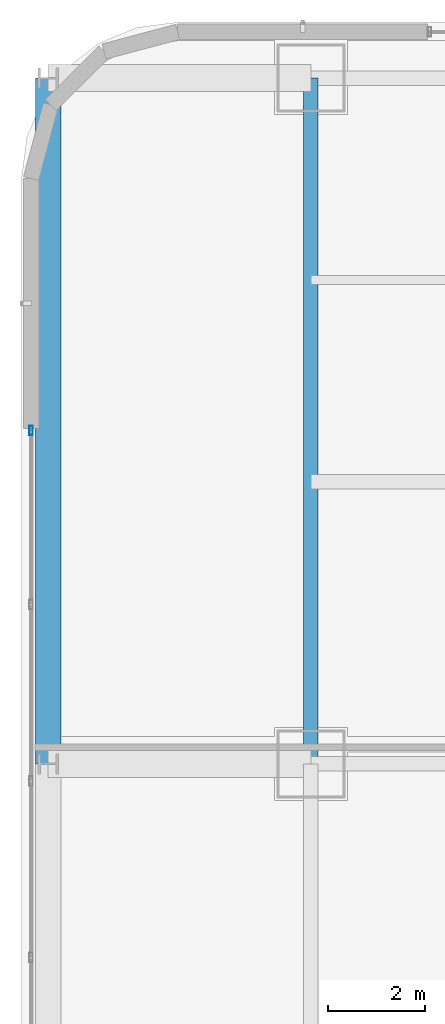
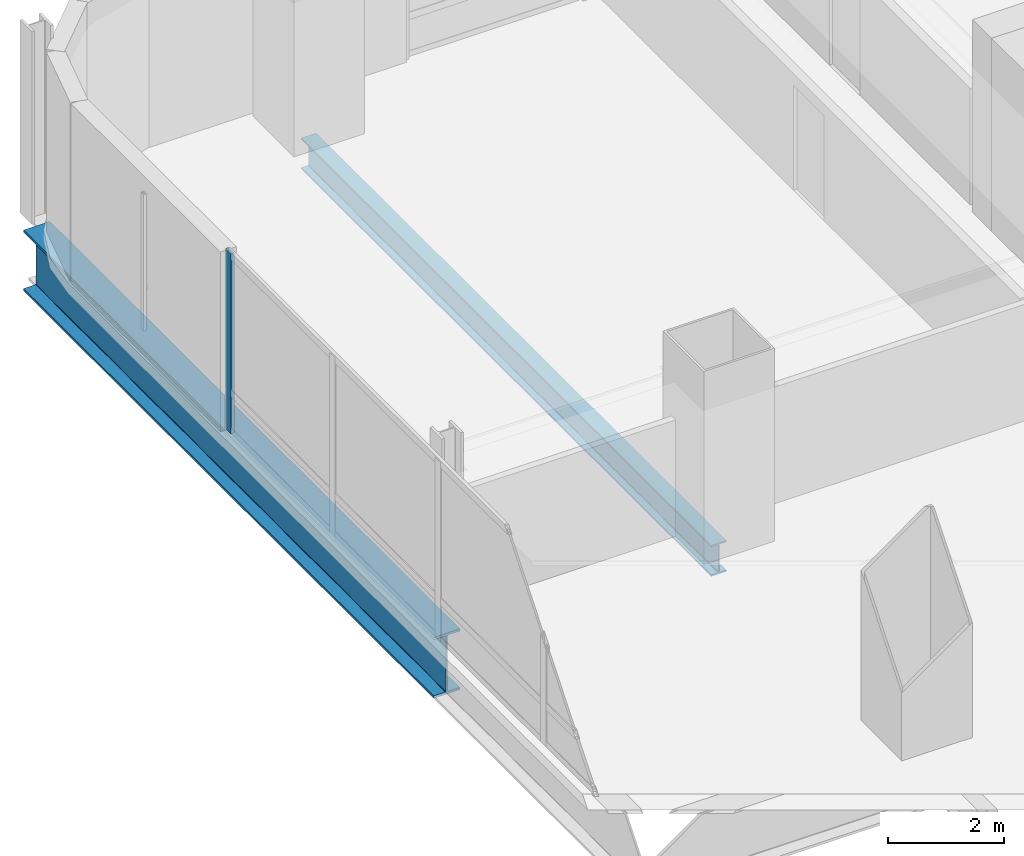
# One storey, part 20 of 46: 2 beams, 1 member, 1 element without a shape of its own.
"""IFC4 building model written with IfcOpenShell, lengths in metres."""

import ifcopenshell
import ifcopenshell.guid

model = None  # the IFC model being written
_history = None  # IfcOwnerHistory: only IFC2X3 demands one
_inside = {}  # id of a spatial element -> (the spatial element, [elements in it])
_under = {}  # id of a project, library or spatial element -> (it, [spatial elements below it])
_declared = {}  # id of a project -> (the project, [libraries it declares])
_typed = {}  # id of a type object -> (the type object, [elements of that type])
_made_of = {}  # id of a material, layer set ... -> (it, [elements and type objects made of it])


def new_model(schema):
    """Start an empty IFC model of exactly this schema.

    Asked for "IFC4X3", IfcOpenShell would pick the latest addendum, in which some entities
    have other attributes; the version numbers below select the first issue.
    IFC2X3 requires an IfcOwnerHistory on every rooted entity: one is made here for all.
    """
    global model, _history
    if schema == "IFC4X3":
        model = ifcopenshell.file(schema_version=(4, 3, 0, 0))
    else:
        model = ifcopenshell.file(schema=schema)
    _inside.clear()
    _under.clear()
    _declared.clear()
    _typed.clear()
    _made_of.clear()
    _history = None
    if model.schema == "IFC2X3":
        org = make("IfcOrganization", Name="unknown")
        user = make(
            "IfcPersonAndOrganization",
            ThePerson=make("IfcPerson", FamilyName="unknown"),
            TheOrganization=org,
        )
        app = make(
            "IfcApplication",
            ApplicationDeveloper=org,
            Version="unknown",
            ApplicationFullName="unknown",
            ApplicationIdentifier="unknown",
        )
        _history = make(
            "IfcOwnerHistory",
            OwningUser=user,
            OwningApplication=app,
            ChangeAction="ADDED",
            CreationDate=0,
        )
    return model


def make(cls, **values):
    """One entity of the class cls with the attributes given. An attribute that is None is left unset."""
    return model.create_entity(
        cls, **{name: value for name, value in values.items() if value is not None}
    )


def rooted(cls, **values):
    """An entity with a GlobalId (a new one), such as an element, a storey or a relation."""
    return make(cls, GlobalId=ifcopenshell.guid.new(), OwnerHistory=_history, **values)


def si_unit(unit_type, name, prefix=None):
    """IfcSIUnit, for example si_unit("LENGTHUNIT", "METRE", prefix="MILLI")."""
    return make("IfcSIUnit", UnitType=unit_type, Prefix=prefix, Name=name)


def assignment(units):
    """IfcUnitAssignment: the units of a project."""
    return None if units is None else make("IfcUnitAssignment", Units=units)


def point(xyz):
    """IfcCartesianPoint."""
    return None if xyz is None else make("IfcCartesianPoint", Coordinates=xyz)


def direction(xyz):
    """IfcDirection."""
    return None if xyz is None else make("IfcDirection", DirectionRatios=xyz)


def frame(location, z_axis=None, x_axis=None):
    """IfcAxis2Placement3D, a coordinate frame: its origin and axes. An axis left out is left unset."""
    return make(
        "IfcAxis2Placement3D",
        Location=point(location),
        Axis=direction(z_axis),
        RefDirection=direction(x_axis),
    )


def frame_2d(location, x_axis=None):
    """IfcAxis2Placement2D, a coordinate frame in the plane: its origin and x axis."""
    return make(
        "IfcAxis2Placement2D", Location=point(location), RefDirection=direction(x_axis)
    )


def origin():
    """The frame at (0, 0, 0) with its axes left unset."""
    return frame((0.0, 0.0, 0.0))


def origin_2d():
    """The frame at (0, 0) in the plane with its x axis left unset."""
    return frame_2d((0.0, 0.0))


def place(relative_to, where):
    """IfcLocalPlacement: puts the frame where relative to a parent placement (None: the world)."""
    return make(
        "IfcLocalPlacement", PlacementRelTo=relative_to, RelativePlacement=where
    )


def context(
    kind, dimensions, precision=None, world=None, true_north=None, identifier=None
):
    """IfcGeometricRepresentationContext, for example the 3D "Model" context."""
    return make(
        "IfcGeometricRepresentationContext",
        ContextIdentifier=identifier,
        ContextType=kind,
        CoordinateSpaceDimension=dimensions,
        Precision=precision,
        WorldCoordinateSystem=world,
        TrueNorth=true_north,
    )


def subcontext(parent, identifier, kind, view, scale=None):
    """IfcGeometricRepresentationSubContext, for example "Body" below "Model"."""
    return make(
        "IfcGeometricRepresentationSubContext",
        ContextIdentifier=identifier,
        ContextType=kind,
        ParentContext=parent,
        TargetScale=scale,
        TargetView=view,
    )


def project(units=None, contexts=None):
    """IfcProject with its units and contexts."""
    return rooted(
        "IfcProject",
        Name="project",
        RepresentationContexts=contexts,
        UnitsInContext=assignment(units),
    )


def spatial(cls, under=None, at=None, **own):
    """A site, building, storey or space (cls), placed at a placement, below another one or the project."""
    s = rooted(cls, ObjectPlacement=at, **own)
    if under is not None:
        _under.setdefault(under.id(), (under, []))[1].append(s)
    return s


def profile(cls, at=None, kind="AREA", **sizes):
    """A parametric profile (cls). Its sizes go by their IFC names, for example OverallWidth=200.0."""
    return make(cls, ProfileType=kind, Position=at, **sizes)


def hollow_rectangle(**sizes):
    """IfcRectangleHollowProfileDef."""
    return profile("IfcRectangleHollowProfileDef", **sizes)


def i_section(**sizes):
    """IfcIShapeProfileDef."""
    return profile("IfcIShapeProfileDef", **sizes)


def extrude(swept, where, along, depth):
    """IfcExtrudedAreaSolid: the profile swept, set in the frame where, extruded along a direction by depth."""
    return make(
        "IfcExtrudedAreaSolid",
        SweptArea=swept,
        Position=where,
        ExtrudedDirection=direction(along),
        Depth=depth,
    )


def shape(context_of_items, identifier, shape_type, items):
    """IfcShapeRepresentation: the items that make up one representation, for example the "Body"."""
    return make(
        "IfcShapeRepresentation",
        ContextOfItems=context_of_items,
        RepresentationIdentifier=identifier,
        RepresentationType=shape_type,
        Items=items,
    )


def material(Name=None, Category=None):
    """IfcMaterial."""
    return make("IfcMaterial", Name=Name, Category=Category)


def material_profile(
    of_material, cross_section, Name=None, Category=None, Priority=None
):
    """IfcMaterialProfile: a cross section and its material."""
    return make(
        "IfcMaterialProfile",
        Name=Name,
        Material=of_material,
        Profile=cross_section,
        Priority=Priority,
        Category=Category,
    )


def profile_set(profiles, Name=None, composite=None):
    """IfcMaterialProfileSet."""
    return make(
        "IfcMaterialProfileSet",
        Name=Name,
        MaterialProfiles=profiles,
        CompositeProfile=composite,
    )


def made_of(thing, what):
    """Note that an element or type object is made of a material, layer set ...; save() writes the relation."""
    if what is not None:
        _made_of.setdefault(what.id(), (what, []))[1].append(thing)
    return thing


def type_object(cls, material=None, **own):
    """A type object (cls), such as IfcWallType, which elements share."""
    return made_of(rooted(cls, **own), material)


def element(
    cls,
    number,
    at=None,
    inside=None,
    cuts=None,
    type_object=None,
    material=None,
    context=None,
    identifier="Body",
    shape_type=None,
    held_by="IfcProductDefinitionShape",
    body=None,
    shapes=None,
    **own,
):
    """One element of the class cls, such as IfcWall. Its Tag is "e" and its number.

    at: its placement. inside: the storey or other place that contains it. cuts: it is an
    opening in that element (IfcRelVoidsElement). A single representation is given by context,
    identifier, shape_type and body (its items); several are given by shapes. held_by: the class
    of the entity that holds the representations. save() writes the other relations.
    """
    e = rooted(cls, Tag="e%d" % number, ObjectPlacement=at, **own)
    if body is not None:
        shapes = [shape(context, identifier, shape_type, body)]
    if shapes is not None:
        e.Representation = make(held_by, Representations=shapes)
    if inside is not None:
        _inside.setdefault(inside.id(), (inside, []))[1].append(e)
    if cuts is not None:
        rooted(
            "IfcRelVoidsElement", RelatingBuildingElement=cuts, RelatedOpeningElement=e
        )
    if type_object is not None:
        _typed.setdefault(type_object.id(), (type_object, []))[1].append(e)
    return made_of(e, material)


def aggregate(whole, parts):
    """IfcRelAggregates: a whole, such as a stair, and the parts it consists of."""
    return rooted("IfcRelAggregates", RelatingObject=whole, RelatedObjects=parts)


def save(model, path):
    """Write the relations noted so far, then the file.

    IfcRelAggregates (storeys below a building ...), IfcRelContainedInSpatialStructure (elements
    in a storey), IfcRelDefinesByType, IfcRelAssociatesMaterial and IfcRelDeclares: one each for
    every whole, place, type object, material and project.
    """
    for whole, parts in _under.values():
        aggregate(whole, parts)
    for where, things in _inside.values():
        rooted(
            "IfcRelContainedInSpatialStructure",
            RelatedElements=things,
            RelatingStructure=where,
        )
    for kind, things in _typed.values():
        rooted("IfcRelDefinesByType", RelatedObjects=things, RelatingType=kind)
    for what, things in _made_of.values():
        rooted("IfcRelAssociatesMaterial", RelatedObjects=things, RelatingMaterial=what)
    for by, libraries in _declared.values():
        rooted("IfcRelDeclares", RelatingContext=by, RelatedDefinitions=libraries)
    model.write(path)


model = new_model("IFC4")

# Units and contexts
model_context = context("Model", 3, precision=1e-05, world=origin(), true_north=direction((0.0, 1.0)))
body_context = subcontext(model_context, "Body", "Model", "MODEL_VIEW")
ifc_project = project(units=[si_unit("LENGTHUNIT", "METRE"), si_unit("AREAUNIT", "SQUARE_METRE"), si_unit("VOLUMEUNIT", "CUBIC_METRE"), si_unit("PLANEANGLEUNIT", "RADIAN"), si_unit("MASSUNIT", "GRAM", prefix="KILO")], contexts=[model_context])

# Site, building, storey
site_placement = place(None, origin())
site = spatial("IfcSite", under=ifc_project, at=site_placement, CompositionType="ELEMENT")
building_placement = place(site_placement, origin())
building = spatial("IfcBuilding", under=site, at=building_placement, Name="Punatoya Terracotta Tower", CompositionType="ELEMENT")
storey_placement = place(building_placement, frame((0.0, 0.0, 200.550048828125)))
storey = spatial("IfcBuildingStorey", under=building, at=storey_placement, Name="L47", CompositionType="ELEMENT", Elevation=200.550048828125)

# Beams
ifc_material_1 = material(Name="Steel S355", Category="steel")
ifc_material_profile_1 = material_profile(ifc_material_1, i_section(OverallWidth=0.300048828125, OverallDepth=0.64990234375, WebThickness=0.01611328125, FlangeThickness=0.031005859375, FilletRadius=0.01806640625, at=origin_2d()))
ifc_profile_set_1 = profile_set([ifc_material_profile_1], Name="Steel S355")
beam_type_1 = type_object("IfcBeamType", Name="BM-PRI-650", PredefinedType="BEAM", material=ifc_profile_set_1)
beam_1_placement = place(storey_placement, frame((-19.10009765625, 3.39990234375, -0.545166015625), z_axis=(0.0, 1.0, 0.0), x_axis=(-1.0, 0.0, 0.0)))
element("IfcBeam", 1, at=beam_1_placement, inside=storey, type_object=beam_type_1, Name="BM-L47-RG-W3", PredefinedType="BEAM", context=body_context, shape_type="SweptSolid", body=[
    extrude(i_section(OverallWidth=0.300048828125, OverallDepth=0.64990234375, WebThickness=0.01611328125, FlangeThickness=0.031005859375, FilletRadius=0.01806640625, at=origin_2d()), origin(), (0.0, 0.0, 1.0), 14.10009765625),
])
ifc_material_2 = material(Name="Steel S460", Category="steel")
ifc_material_profile_2 = material_profile(ifc_material_2, i_section(OverallWidth=0.52001953125, OverallDepth=1.280029296875, WebThickness=0.031982421875, FlangeThickness=0.050048828125, FilletRadius=0.01806640625, at=origin_2d()))
ifc_profile_set_2 = profile_set([ifc_material_profile_2], Name="Steel S460")
beam_type_2 = type_object("IfcBeamType", Name="BM-TG-NCK", PredefinedType="BEAM", material=ifc_profile_set_2)
beam_2_placement = place(storey_placement, frame((-24.5, 3.39990234375, -0.860107421875), z_axis=(0.0, 1.0, 0.0), x_axis=(-1.0, 0.0, 0.0)))
element("IfcBeam", 2, at=beam_2_placement, inside=storey, type_object=beam_type_2, Name="BM-L47-PER-W3", PredefinedType="BEAM", context=body_context, shape_type="SweptSolid", body=[
    extrude(i_section(OverallWidth=0.52001953125, OverallDepth=1.280029296875, WebThickness=0.031982421875, FlangeThickness=0.050048828125, FilletRadius=0.01806640625, at=origin_2d()), origin(), (0.0, 0.0, 1.0), 14.10009765625),
])

# Curtain wall, member
ifc_material_3 = material(Name="Aluminium 6063-T6 + Double Low-E Glass", Category="aluminium")
curtain_wall_type = type_object("IfcCurtainWallType", Name="CW-M2", PredefinedType="NOTDEFINED", material=ifc_material_3)
curtain_wall_placement = place(storey_placement, origin())
curtain_wall = element("IfcCurtainWall", 3, at=curtain_wall_placement, inside=storey, type_object=curtain_wall_type, Name="L47 Curtain Wall CW-L47-W13-1", PredefinedType="NOTDEFINED")
ifc_material_4 = material(Name="Aluminium 6063-T6", Category="aluminium")
ifc_material_profile_3 = material_profile(ifc_material_4, hollow_rectangle(XDim=0.072021484375, YDim=0.195068359375, WallThickness=0.00439453125, at=origin_2d()))
ifc_profile_set_3 = profile_set([ifc_material_profile_3], Name="Aluminium 6063-T6")
member_type = type_object("IfcMemberType", Name="CW-MUL-M2", PredefinedType="MULLION", material=ifc_profile_set_3)
member_placement = place(storey_placement, frame((-24.85009765625, 10.2548828125, 0.0), z_axis=(0.0, 0.0, 1.0), x_axis=(1.0, 0.0, 0.0)))
member = element("IfcMember", 4, at=member_placement, type_object=member_type, Name="CW-L47-W13-1 Mullion 00", PredefinedType="MULLION", context=body_context, shape_type="SweptSolid", body=[
    extrude(hollow_rectangle(XDim=0.072021484375, YDim=0.195068359375, WallThickness=0.00439453125, at=origin_2d()), origin(), (0.0, 0.0, 1.0), 3.77001953125),
])
aggregate(curtain_wall, [member])

save(model, "model.ifc")
